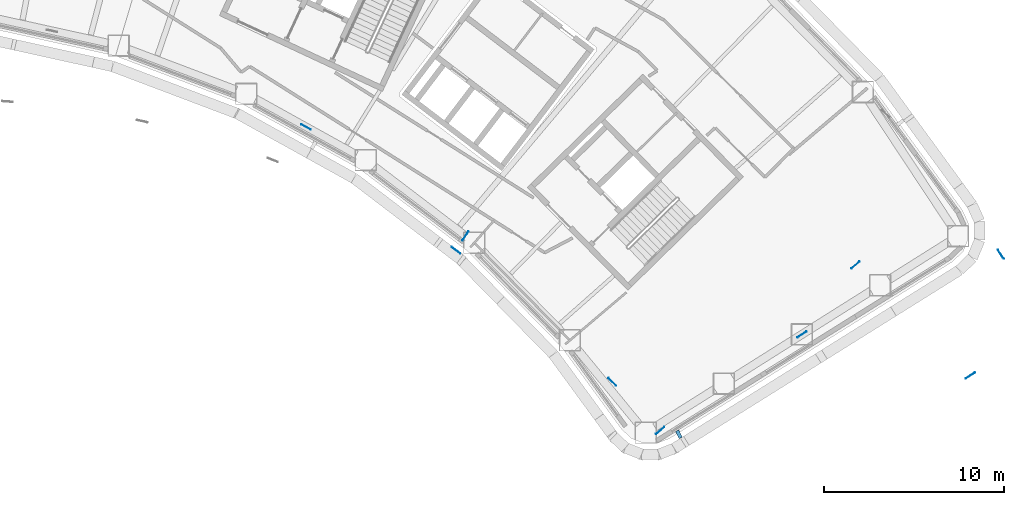
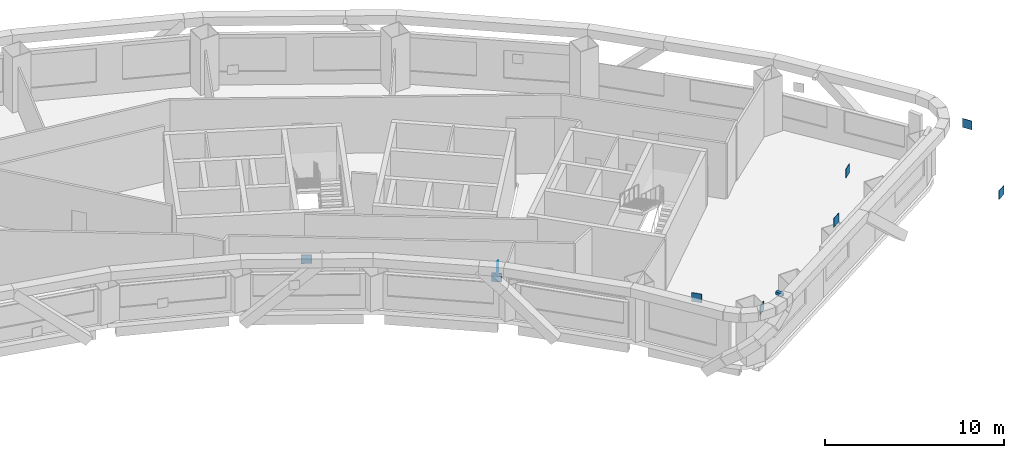
# One storey, part 13 of 19: 10 discrete accessories.
"""IFC4 building model written with IfcOpenShell, lengths in metres."""

from ifc_helpers import new_model, si_unit, direction, frame, origin, origin_2d, place, context, subcontext, project, spatial, rectangle, extrude, material, type_object, element, save


model = new_model("IFC4")

# Units and contexts
model_context = context("Model", 3, precision=1e-05, world=origin(), true_north=direction((0.0, 1.0)))
body_context = subcontext(model_context, "Body", "Model", "MODEL_VIEW")
ifc_project = project(units=[si_unit("LENGTHUNIT", "METRE"), si_unit("AREAUNIT", "SQUARE_METRE"), si_unit("VOLUMEUNIT", "CUBIC_METRE"), si_unit("PLANEANGLEUNIT", "RADIAN"), si_unit("MASSUNIT", "GRAM", prefix="KILO")], contexts=[model_context])

# Site, building, storey
site_placement = place(None, origin())
site = spatial("IfcSite", under=ifc_project, at=site_placement, CompositionType="ELEMENT")
building_placement = place(site_placement, origin())
building = spatial("IfcBuilding", under=site, at=building_placement, Name="Tuul Gate Civic Tower", CompositionType="ELEMENT")
storey_placement = place(building_placement, frame((0.0, 0.0, 90.60009765625)))
storey = spatial("IfcBuildingStorey", under=building, at=storey_placement, Name="Level 20", CompositionType="ELEMENT", Elevation=90.60009765625)

# Discrete accessories
ifc_material_1 = material(Name="Steel S355", Category="steel")
discrete_accessory_type_1 = type_object("IfcDiscreteAccessoryType", Name="Gusset plate", PredefinedType="BRACKET", material=ifc_material_1)
for number, where, z_axis, x_axis, name in (
    (1, (39.078369140625, -15.418701171875, 2.7958984375), (0.0, 0.0, 1.0), (0.546721915066, 0.837314246616, 0.0), "Gusset plate"),
    (2, (60.770751953125, -17.031982421875, 2.797119140625), (0.0, 0.0, 1.0), (0.76282474496, 0.646605295738, 0.0), "Gusset plate"),
    (3, (49.906982421875, -26.23779296875, 2.797119140625), (0.0, 0.0, 1.0), (0.76282474496, 0.646605295738, 0.0), "Gusset plate"),
    (4, (68.8505859375, -16.435546875, 2.79638671875), (0.0, 0.0, 1.0), (0.551597524527, -0.834110406922, 0.0), "Gusset plate"),
    (5, (38.55517578125, -16.2177734375, 2.796142578125), (0.0, 0.0, 1.0), (0.795664473939, -0.60573760401, 0.0), "Gusset plate"),
    (6, (30.215087890625, -9.35693359375, 2.796142578125), (0.0, 0.0, 1.0), (-0.874653889523, 0.484747948467, 0.0), "Gusset plate"),
    (7, (47.2529296875, -23.527587890625, 2.796142578125), (0.0, 0.0, 1.0), (-0.700023993072, 0.714119324149, 0.0), "Gusset plate"),
    (8, (57.7939453125, -20.89111328125, 2.796630859375), (0.0, 0.0, 1.0), (0.846187288195, 0.532885609956, 0.0), "Gusset plate"),
    (9, (67.156982421875, -23.176025390625, 2.796630859375), (0.0, 0.0, 1.0), (0.84627513954, 0.532746082291, 0.0), "Gusset plate"),
):
    element("IfcDiscreteAccessory", number, at=place(storey_placement, frame(where, z_axis=z_axis, x_axis=x_axis)), inside=storey, type_object=discrete_accessory_type_1, Name=name, PredefinedType="BRACKET", context=body_context, shape_type="SweptSolid", body=[
        extrude(rectangle(XDim=0.60009765625, YDim=0.030029296875, at=origin_2d()), origin(), (0.0, 0.0, 1.0), 0.60009765625),
    ])
ifc_material_2 = material(Name="Stainless steel", Category="steel")
discrete_accessory_type_2 = type_object("IfcDiscreteAccessoryType", Name="Screen bracket", PredefinedType="BRACKET", material=ifc_material_2)
discrete_accessory_placement = place(storey_placement, frame((50.953857421875, -26.445068359375, 3.75), z_axis=(0.0, 0.0, 1.0), x_axis=(0.453848979937, -0.891078617974, 0.0)))
element("IfcDiscreteAccessory", 10, at=discrete_accessory_placement, inside=storey, type_object=discrete_accessory_type_2, Name="Screen bracket 32", PredefinedType="BRACKET", context=body_context, shape_type="SweptSolid", body=[
    extrude(rectangle(XDim=0.45166015625, YDim=0.199951171875, at=origin_2d()), origin(), (0.0, 0.0, 1.0), 0.199951171875),
])

save(model, "model.ifc")
